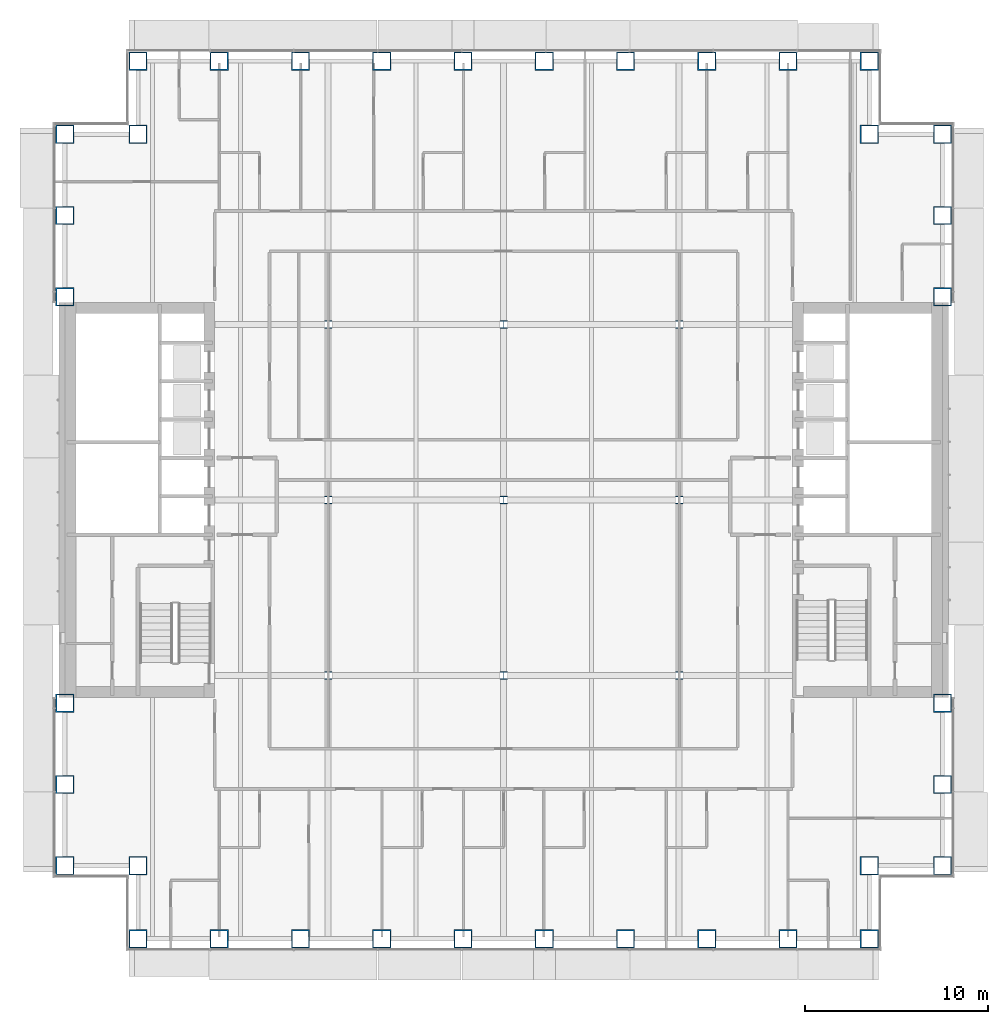
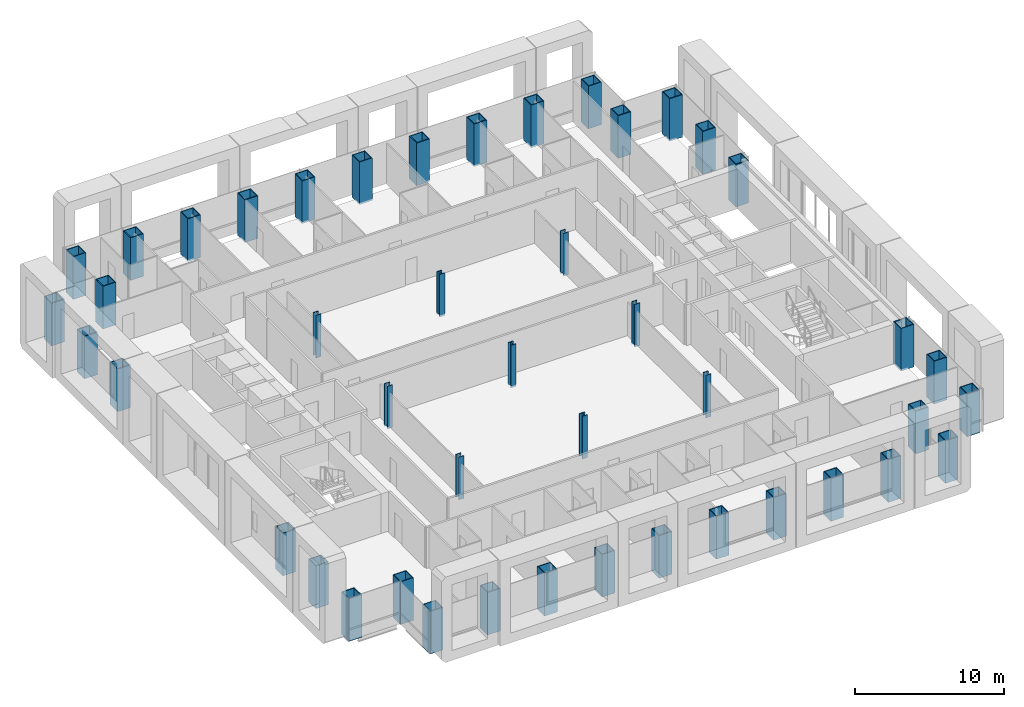
# One storey, part 1 of 25: 45 columns.
"""IFC4 building model written with IfcOpenShell, lengths in metres."""

from ifc_helpers import new_model, si_unit, direction, frame, origin, origin_2d, place, context, subcontext, project, spatial, hollow_rectangle, i_section, extrude, material, material_profile, profile_set, type_object, element, save


model = new_model("IFC4")

# Units and contexts
model_context = context("Model", 3, precision=1e-05, world=origin(), true_north=direction((0.0, 1.0)))
body_context = subcontext(model_context, "Body", "Model", "MODEL_VIEW")
ifc_project = project(units=[si_unit("LENGTHUNIT", "METRE"), si_unit("AREAUNIT", "SQUARE_METRE"), si_unit("VOLUMEUNIT", "CUBIC_METRE"), si_unit("PLANEANGLEUNIT", "RADIAN"), si_unit("MASSUNIT", "GRAM", prefix="KILO")], contexts=[model_context])

# Site, building, storey
site_placement = place(None, origin())
site = spatial("IfcSite", under=ifc_project, at=site_placement, CompositionType="ELEMENT")
building_placement = place(site_placement, origin())
building = spatial("IfcBuilding", under=site, at=building_placement, Name="Cobrizo Arcos Hotel Tower", CompositionType="ELEMENT")
storey_placement = place(building_placement, frame((0.0, 0.0, 46.0)))
storey = spatial("IfcBuildingStorey", under=building, at=storey_placement, Name="L09", CompositionType="ELEMENT", Elevation=46.0)

# Columns
ifc_material_1 = material(Name="Steel ASTM A572 Grade 50", Category="steel")
ifc_material_profile_1 = material_profile(ifc_material_1, hollow_rectangle(XDim=1.0, YDim=1.0, WallThickness=0.06005859375, at=origin_2d()), Name="BOX 1000X1000X60")
ifc_profile_set_1 = profile_set([ifc_material_profile_1], Name="Steel ASTM A572 Grade 50")
column_type_1 = type_object("IfcColumnType", Name="BOX 1000X1000X60 column", PredefinedType="COLUMN", material=ifc_profile_set_1)
for number, where, z_axis, x_axis, name in (
    (1, (-20.0, 24.0, -0.14990234375), (0.0, 0.0, 1.0), (1.0, 0.0, 0.0), "Perimeter column C4, L09, no. 00"),
    (2, (-20.0, -24.0, -0.14990234375), (0.0, 0.0, 1.0), (1.0, 0.0, 0.0), "Perimeter column C4, L09, no. 01"),
    (3, (-15.555908203125, 24.0, -0.14990234375), (0.0, 0.0, 1.0), (1.0, 0.0, 0.0), "Perimeter column C4, L09, no. 02"),
    (4, (-15.555908203125, -24.0, -0.14990234375), (0.0, 0.0, 1.0), (1.0, 0.0, 0.0), "Perimeter column C4, L09, no. 03"),
    (5, (-11.111083984375, 24.0, -0.14990234375), (0.0, 0.0, 1.0), (1.0, 0.0, 0.0), "Perimeter column C4, L09, no. 04"),
    (6, (-11.111083984375, -24.0, -0.14990234375), (0.0, 0.0, 1.0), (1.0, 0.0, 0.0), "Perimeter column C4, L09, no. 05"),
    (7, (-6.6669921875, 24.0, -0.14990234375), (0.0, 0.0, 1.0), (1.0, 0.0, 0.0), "Perimeter column C4, L09, no. 06"),
    (8, (-6.6669921875, -24.0, -0.14990234375), (0.0, 0.0, 1.0), (1.0, 0.0, 0.0), "Perimeter column C4, L09, no. 07"),
    (9, (-2.221923828125, 24.0, -0.14990234375), (0.0, 0.0, 1.0), (1.0, 0.0, 0.0), "Perimeter column C4, L09, no. 08"),
    (10, (-2.221923828125, -24.0, -0.14990234375), (0.0, 0.0, 1.0), (1.0, 0.0, 0.0), "Perimeter column C4, L09, no. 09"),
    (11, (2.221923828125, 24.0, -0.14990234375), (0.0, 0.0, 1.0), (1.0, 0.0, 0.0), "Perimeter column C4, L09, no. 10"),
    (12, (2.221923828125, -24.0, -0.14990234375), (0.0, 0.0, 1.0), (1.0, 0.0, 0.0), "Perimeter column C4, L09, no. 11"),
    (13, (6.6669921875, 24.0, -0.14990234375), (0.0, 0.0, 1.0), (1.0, 0.0, 0.0), "Perimeter column C4, L09, no. 12"),
    (14, (6.6669921875, -24.0, -0.14990234375), (0.0, 0.0, 1.0), (1.0, 0.0, 0.0), "Perimeter column C4, L09, no. 13"),
    (15, (11.111083984375, 24.0, -0.14990234375), (0.0, 0.0, 1.0), (1.0, 0.0, 0.0), "Perimeter column C4, L09, no. 14"),
    (16, (11.111083984375, -24.0, -0.14990234375), (0.0, 0.0, 1.0), (1.0, 0.0, 0.0), "Perimeter column C4, L09, no. 15"),
    (17, (15.555908203125, 24.0, -0.14990234375), (0.0, 0.0, 1.0), (1.0, 0.0, 0.0), "Perimeter column C4, L09, no. 16"),
    (18, (15.555908203125, -24.0, -0.14990234375), (0.0, 0.0, 1.0), (1.0, 0.0, 0.0), "Perimeter column C4, L09, no. 17"),
    (19, (20.0, 24.0, -0.14990234375), (0.0, 0.0, 1.0), (1.0, 0.0, 0.0), "Perimeter column C4, L09, no. 18"),
    (20, (20.0, -24.0, -0.14990234375), (0.0, 0.0, 1.0), (1.0, 0.0, 0.0), "Perimeter column C4, L09, no. 19"),
    (21, (24.0, -20.0, -0.14990234375), (0.0, 0.0, 1.0), (1.0, 0.0, 0.0), "Perimeter column C4, L09, no. 20"),
    (22, (-24.0, -20.0, -0.14990234375), (0.0, 0.0, 1.0), (1.0, 0.0, 0.0), "Perimeter column C4, L09, no. 21"),
    (23, (24.0, -15.555908203125, -0.14990234375), (0.0, 0.0, 1.0), (1.0, 0.0, 0.0), "Perimeter column C4, L09, no. 22"),
    (24, (-24.0, -15.555908203125, -0.14990234375), (0.0, 0.0, 1.0), (1.0, 0.0, 0.0), "Perimeter column C4, L09, no. 23"),
    (25, (24.0, -11.111083984375, -0.14990234375), (0.0, 0.0, 1.0), (1.0, 0.0, 0.0), "Perimeter column C4, L09, no. 24"),
    (26, (-24.0, -11.111083984375, -0.14990234375), (0.0, 0.0, 1.0), (1.0, 0.0, 0.0), "Perimeter column C4, L09, no. 25"),
    (27, (24.0, 11.111083984375, -0.14990234375), (0.0, 0.0, 1.0), (1.0, 0.0, 0.0), "Perimeter column C4, L09, no. 26"),
    (28, (-24.0, 11.111083984375, -0.14990234375), (0.0, 0.0, 1.0), (1.0, 0.0, 0.0), "Perimeter column C4, L09, no. 27"),
    (29, (24.0, 15.555908203125, -0.14990234375), (0.0, 0.0, 1.0), (1.0, 0.0, 0.0), "Perimeter column C4, L09, no. 28"),
    (30, (-24.0, 15.555908203125, -0.14990234375), (0.0, 0.0, 1.0), (1.0, 0.0, 0.0), "Perimeter column C4, L09, no. 29"),
    (31, (24.0, 20.0, -0.14990234375), (0.0, 0.0, 1.0), (1.0, 0.0, 0.0), "Perimeter column C4, L09, no. 30"),
    (32, (-24.0, 20.0, -0.14990234375), (0.0, 0.0, 1.0), (1.0, 0.0, 0.0), "Perimeter column C4, L09, no. 31"),
    (33, (-20.0, -20.0, -0.14990234375), (0.0, 0.0, 1.0), (1.0, 0.0, 0.0), "Perimeter column C4, L09, no. 32"),
    (34, (-20.0, 20.0, -0.14990234375), (0.0, 0.0, 1.0), (1.0, 0.0, 0.0), "Perimeter column C4, L09, no. 33"),
    (35, (20.0, -20.0, -0.14990234375), (0.0, 0.0, 1.0), (1.0, 0.0, 0.0), "Perimeter column C4, L09, no. 34"),
    (36, (20.0, 20.0, -0.14990234375), (0.0, 0.0, 1.0), (1.0, 0.0, 0.0), "Perimeter column C4, L09, no. 35"),
):
    element("IfcColumn", number, at=place(storey_placement, frame(where, z_axis=z_axis, x_axis=x_axis)), inside=storey, type_object=column_type_1, Name=name, PredefinedType="COLUMN", context=body_context, shape_type="SweptSolid", body=[
        extrude(hollow_rectangle(XDim=1.0, YDim=1.0, WallThickness=0.06005859375, at=origin_2d()), origin(), (0.0, 0.0, 1.0), 3.5),
    ])
ifc_material_2 = material(Name="Steel ASTM A992 Grade 50", Category="steel")
ifc_material_profile_2 = material_profile(ifc_material_2, i_section(OverallWidth=0.408935546875, OverallDepth=0.42431640625, WebThickness=0.03271484375, FlangeThickness=0.052490234375, at=origin_2d()), Name="W14X283")
ifc_profile_set_2 = profile_set([ifc_material_profile_2], Name="Steel ASTM A992 Grade 50")
column_type_2 = type_object("IfcColumnType", Name="W14X283 interior column", PredefinedType="COLUMN", material=ifc_profile_set_2)
for number, where, z_axis, x_axis, name in (
    (37, (-9.60009765625, -9.60009765625, -0.14990234375), (0.0, 0.0, 1.0), (1.0, 0.0, 0.0), "Interior column C5, L09, no. 00"),
    (38, (-9.60009765625, 0.0, -0.14990234375), (0.0, 0.0, 1.0), (1.0, 0.0, 0.0), "Interior column C5, L09, no. 01"),
    (39, (-9.60009765625, 9.60009765625, -0.14990234375), (0.0, 0.0, 1.0), (1.0, 0.0, 0.0), "Interior column C5, L09, no. 02"),
    (40, (0.0, -9.60009765625, -0.14990234375), (0.0, 0.0, 1.0), (1.0, 0.0, 0.0), "Interior column C5, L09, no. 03"),
    (41, (0.0, 0.0, -0.14990234375), (0.0, 0.0, 1.0), (1.0, 0.0, 0.0), "Interior column C5, L09, no. 04"),
    (42, (0.0, 9.60009765625, -0.14990234375), (0.0, 0.0, 1.0), (1.0, 0.0, 0.0), "Interior column C5, L09, no. 05"),
    (43, (9.60009765625, -9.60009765625, -0.14990234375), (0.0, 0.0, 1.0), (1.0, 0.0, 0.0), "Interior column C5, L09, no. 06"),
    (44, (9.60009765625, 0.0, -0.14990234375), (0.0, 0.0, 1.0), (1.0, 0.0, 0.0), "Interior column C5, L09, no. 07"),
    (45, (9.60009765625, 9.60009765625, -0.14990234375), (0.0, 0.0, 1.0), (1.0, 0.0, 0.0), "Interior column C5, L09, no. 08"),
):
    element("IfcColumn", number, at=place(storey_placement, frame(where, z_axis=z_axis, x_axis=x_axis)), inside=storey, type_object=column_type_2, Name=name, PredefinedType="COLUMN", context=body_context, shape_type="SweptSolid", body=[
        extrude(i_section(OverallWidth=0.408935546875, OverallDepth=0.42431640625, WebThickness=0.03271484375, FlangeThickness=0.052490234375, at=origin_2d()), origin(), (0.0, 0.0, 1.0), 3.5),
    ])

save(model, "model.ifc")
